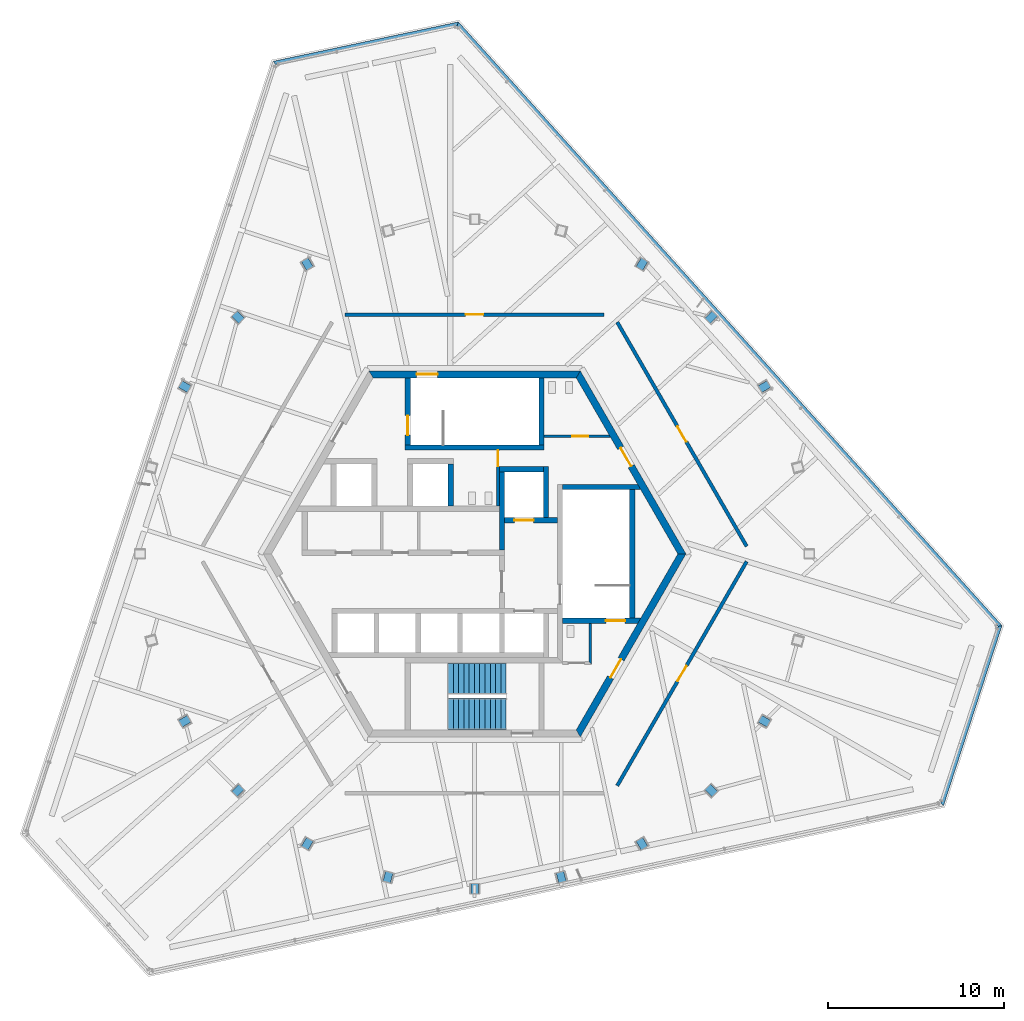
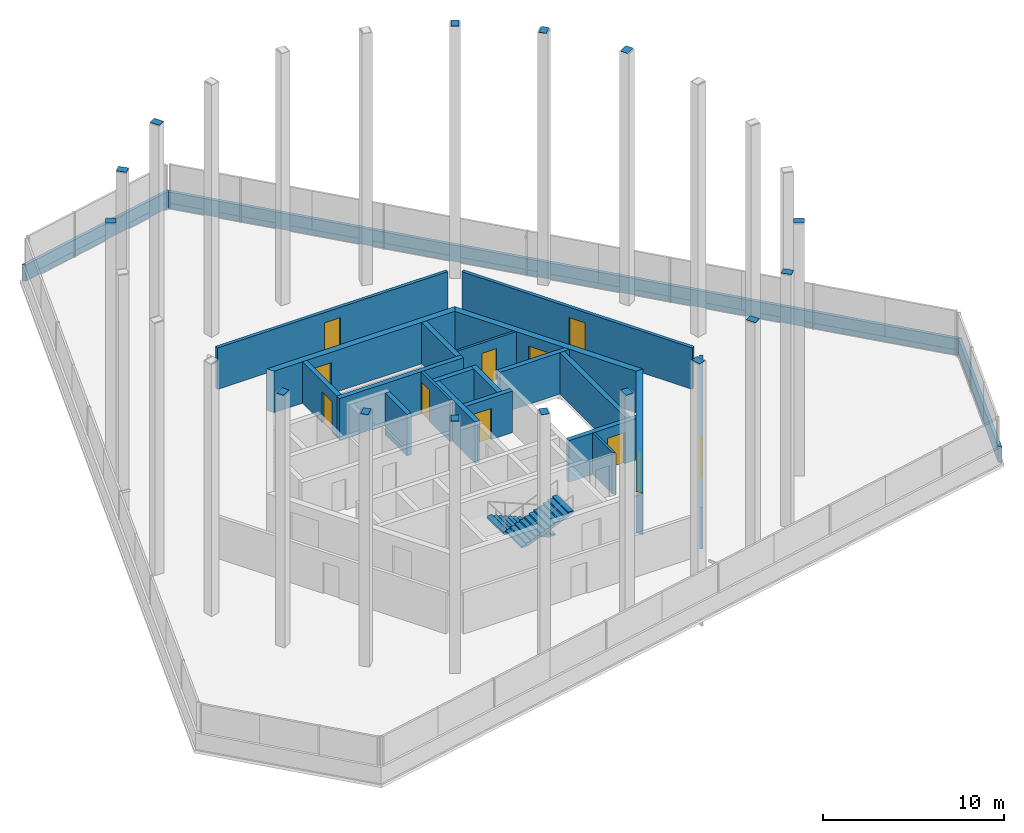
# One storey, part 8 of 11: 23 walls, 15 discrete accessories, 11 doors, 2 stair flights, 11 openings, 1 element without a shape of its own.
"""IFC4 building model written with IfcOpenShell, lengths in metres."""

from ifc_helpers import new_model, si_unit, direction, frame, frame_2d, origin, origin_2d, place, context, subcontext, project, spatial, polyline, rectangle, outline, extrude, source, transform, mapped, material, layer, layer_set, type_object, element, fill, aggregate, save


model = new_model("IFC4")

# Units and contexts
model_context = context("Model", 3, precision=1e-05, world=origin(), true_north=direction((0.0, 1.0)))
body_context = subcontext(model_context, "Body", "Model", "MODEL_VIEW")
ifc_project = project(units=[si_unit("LENGTHUNIT", "METRE"), si_unit("AREAUNIT", "SQUARE_METRE"), si_unit("VOLUMEUNIT", "CUBIC_METRE"), si_unit("PLANEANGLEUNIT", "RADIAN"), si_unit("MASSUNIT", "GRAM", prefix="KILO")], contexts=[model_context])

# Site, building, storey
site_placement = place(None, origin())
site = spatial("IfcSite", under=ifc_project, at=site_placement, CompositionType="ELEMENT")
building_placement = place(site_placement, origin())
building = spatial("IfcBuilding", under=site, at=building_placement, Name="Triune Harvest Tower", CompositionType="ELEMENT")
storey_placement = place(building_placement, frame((0.0, 0.0, 296.699951171875)))
storey = spatial("IfcBuildingStorey", under=building, at=storey_placement, Name="L78", CompositionType="ELEMENT", Elevation=296.699951171875)

# Wall, opening, door
ifc_material_1 = material(Name="Concrete masonry unit", Category="masonry")
ifc_layer_1 = layer(ifc_material_1, 0.14990234375)
ifc_layer_set_1 = layer_set([ifc_layer_1], Name="Concrete masonry unit")
wall_type_1 = type_object("IfcWallType", Name="Block partition 150 unrated", PredefinedType="PARTITIONING", material=ifc_layer_set_1)
wall_1_placement = place(storey_placement, frame((1.324951171875, 2.7099609375, 0.0), z_axis=(0.0, 0.0, 1.0), x_axis=(0.0, 1.0, 0.0)))
wall_1 = element("IfcWall", 1, at=wall_1_placement, inside=storey, type_object=wall_type_1, Name="Wc men east wall", PredefinedType="PARTITIONING", context=body_context, shape_type="SweptSolid", body=[
    extrude(rectangle(XDim=3.179931640625, YDim=0.14990234375, at=frame_2d((1.58984375, 0.0))), origin(), (0.0, 0.0, 1.0), 2.800048828125),
])
opening_1_placement = place(wall_1_placement, frame((2.264892578125, 0.0, 0.0)))
opening_1 = element("IfcOpeningElement", 2, at=opening_1_placement, cuts=wall_1, Name="Opening CD-WM", PredefinedType="OPENING", context=body_context, shape_type="SweptSolid", body=[
    extrude(rectangle(XDim=0.89990234375, YDim=2.10009765625, at=frame_2d((0.449951171875, 1.050048828125))), frame((0.0, 0.0849609375, 0.0), z_axis=(0.0, -1.0, 0.0), x_axis=(1.0, 0.0, 0.0)), (0.0, 0.0, 1.0), 0.169921875),
])
ifc_material_2 = material(Name="Timber C24", Category="wood")
door_type_1 = type_object("IfcDoorType", Name="WC door 900", OperationType="SINGLE_SWING_LEFT", PredefinedType="DOOR", material=ifc_material_2)
door_1_placement = place(opening_1_placement, origin())
door_1 = element("IfcDoor", 3, at=door_1_placement, inside=storey, type_object=door_type_1, Name="Door CD-WM", OperationType="SINGLE_SWING_LEFT", OverallHeight=2.10009765625, OverallWidth=0.89990234375, PredefinedType="DOOR", context=body_context, shape_type="SweptSolid", body=[
    extrude(rectangle(XDim=0.89990234375, YDim=2.10009765625, at=frame_2d((0.449951171875, 1.050048828125))), frame((0.0, 0.02490234375, 0.0), z_axis=(0.0, -1.0, 0.0), x_axis=(1.0, 0.0, 0.0)), (0.0, 0.0, 1.0), 0.050048828125),
])
fill(opening_1, door_1)

wall_2_placement = place(storey_placement, frame((3.949951171875, 6.675048828125, 0.0), z_axis=(0.0, 0.0, 1.0), x_axis=(1.0, 0.0, 0.0)))
wall_2 = element("IfcWall", 4, at=wall_2_placement, inside=storey, type_object=wall_type_1, Name="Wc women south wall", PredefinedType="PARTITIONING", context=body_context, shape_type="SweptSolid", body=[
    extrude(outline(polyline([(0.0, -0.074951171875), (0.0, 0.074951171875), (3.693359375, 0.074951171875), (3.77978515625, -0.074951171875), (0.0, -0.074951171875)])), origin(), (0.0, 0.0, 1.0), 2.800048828125),
])
opening_2_placement = place(wall_2_placement, frame((1.60009765625, 0.0, 0.0)))
opening_2 = element("IfcOpeningElement", 5, at=opening_2_placement, cuts=wall_2, Name="Opening CD-WW", PredefinedType="OPENING", context=body_context, shape_type="SweptSolid", body=[
    extrude(rectangle(XDim=0.89990234375, YDim=2.10009765625, at=frame_2d((0.449951171875, 1.050048828125))), frame((0.0, 0.0849609375, 0.0), z_axis=(0.0, -1.0, 0.0), x_axis=(1.0, 0.0, 0.0)), (0.0, 0.0, 1.0), 0.169921875),
])
door_2_placement = place(opening_2_placement, origin())
door_2 = element("IfcDoor", 6, at=door_2_placement, inside=storey, type_object=door_type_1, Name="Door CD-WW", OperationType="SINGLE_SWING_LEFT", OverallHeight=2.10009765625, OverallWidth=0.89990234375, PredefinedType="DOOR", context=body_context, shape_type="SweptSolid", body=[
    extrude(rectangle(XDim=0.89990234375, YDim=2.10009765625, at=frame_2d((0.449951171875, 1.050048828125))), frame((0.0, 0.02490234375, 0.0), z_axis=(0.0, -1.0, 0.0), x_axis=(1.0, 0.0, 0.0)), (0.0, 0.0, 1.0), 0.050048828125),
])
fill(opening_2, door_2)

# Walls
wall_3_placement = place(storey_placement, frame((6.574951171875, -6.18994140625, 0.0), z_axis=(0.0, 0.0, 1.0), x_axis=(0.0, 1.0, 0.0)))
element("IfcWall", 7, at=wall_3_placement, inside=storey, type_object=wall_type_1, Name="Wc acc east wall", PredefinedType="PARTITIONING", context=body_context, shape_type="SweptSolid", body=[
    extrude(outline(polyline([(-0.074951171875, -0.074951171875), (2.239990234375, -0.074951171875), (2.239990234375, 0.074951171875), (0.074951171875, 0.074951171875), (-0.074951171875, -0.074951171875)])), origin(), (0.0, 0.0, 1.0), 2.800048828125),
])
ifc_material_3 = material(Name="Concrete 70 MPa", Category="concrete")
ifc_layer_2 = layer(ifc_material_3, 0.300048828125)
ifc_layer_set_2 = layer_set([ifc_layer_2], Name="Concrete 70 MPa")
wall_type_2 = type_object("IfcWallType", Name="Core wall 300", PredefinedType="SHEAR", material=ifc_layer_set_2)
wall_4_placement = place(storey_placement, frame((1.550048828125, 0.2099609375, 0.0), z_axis=(0.0, 0.0, 1.0), x_axis=(0.0, 1.0, 0.0)))
element("IfcWall", 8, at=wall_4_placement, inside=storey, type_object=wall_type_2, Name="Ff1 west wall", PredefinedType="SHEAR", context=body_context, shape_type="SweptSolid", body=[
    extrude(rectangle(XDim=4.449951171875, YDim=0.300048828125, at=frame_2d((2.22509765625, 0.0))), origin(), (0.0, 0.0, 1.0), 2.800048828125),
])
wall_5_placement = place(storey_placement, frame((4.050048828125, 2.06005859375, 0.0), z_axis=(0.0, 0.0, 1.0), x_axis=(0.0, 1.0, 0.0)))
element("IfcWall", 9, at=wall_5_placement, inside=storey, type_object=wall_type_2, Name="Ff1 east wall", PredefinedType="SHEAR", context=body_context, shape_type="SweptSolid", body=[
    extrude(rectangle(XDim=2.89990234375, YDim=0.300048828125, at=frame_2d((1.449951171875, 0.0))), origin(), (0.0, 0.0, 1.0), 2.800048828125),
])
wall_6_placement = place(storey_placement, frame((5.0, 3.800048828125, 0.0), z_axis=(0.0, 0.0, 1.0), x_axis=(1.0, 0.0, 0.0)))
element("IfcWall", 10, at=wall_6_placement, inside=storey, type_object=wall_type_2, Name="Stair e north wall", PredefinedType="SHEAR", context=body_context, shape_type="SweptSolid", body=[
    extrude(outline(polyline([(0.0, -0.14990234375), (0.0, 0.14990234375), (4.260009765625, 0.14990234375), (4.43310546875, -0.14990234375), (0.0, -0.14990234375)])), origin(), (0.0, 0.0, 1.0), 2.800048828125),
])

# Wall, opening, door
wall_7_placement = place(storey_placement, frame((5.0, -3.800048828125, 0.0), z_axis=(0.0, 0.0, 1.0), x_axis=(1.0, 0.0, 0.0)))
wall_7 = element("IfcWall", 11, at=wall_7_placement, inside=storey, type_object=wall_type_2, Name="Stair e south wall", PredefinedType="SHEAR", context=body_context, shape_type="SweptSolid", body=[
    extrude(outline(polyline([(0.0, -0.14990234375), (0.0, 0.14990234375), (4.43310546875, 0.14990234375), (4.260009765625, -0.14990234375), (0.0, -0.14990234375)])), origin(), (0.0, 0.0, 1.0), 2.800048828125),
])
opening_3_placement = place(wall_7_placement, frame((2.449951171875, 0.0, 0.0)))
opening_3 = element("IfcOpeningElement", 12, at=opening_3_placement, cuts=wall_7, Name="Opening CD-S3D", PredefinedType="OPENING", context=body_context, shape_type="SweptSolid", body=[
    extrude(rectangle(XDim=1.10009765625, YDim=2.10009765625, at=frame_2d((0.550048828125, 1.050048828125))), frame((0.0, 0.16015625, 0.0), z_axis=(0.0, -1.0, 0.0), x_axis=(1.0, 0.0, 0.0)), (0.0, 0.0, 1.0), 0.320068359375),
])
ifc_material_4 = material(Name="Steel S235", Category="steel")
door_type_2 = type_object("IfcDoorType", Name="Stair door 1100 FD120", OperationType="SINGLE_SWING_LEFT", PredefinedType="DOOR", material=ifc_material_4)
door_3_placement = place(opening_3_placement, frame((1.10009765625, 0.0, 0.0), z_axis=(0.0, 0.0, 1.0), x_axis=(-1.0, 0.0, 0.0)))
door_3 = element("IfcDoor", 13, at=door_3_placement, inside=storey, type_object=door_type_2, Name="Door CD-S3D", OperationType="SINGLE_SWING_RIGHT", OverallHeight=2.10009765625, OverallWidth=1.10009765625, PredefinedType="DOOR", context=body_context, shape_type="SweptSolid", body=[
    extrude(rectangle(XDim=1.10009765625, YDim=2.10009765625, at=frame_2d((0.550048828125, 1.050048828125))), frame((0.0, 0.02490234375, 0.0), z_axis=(0.0, -1.0, 0.0), x_axis=(1.0, 0.0, 0.0)), (0.0, 0.0, 1.0), 0.050048828125),
])
fill(opening_3, door_3)

# Walls
wall_8_placement = place(storey_placement, frame((8.949951171875, -3.64990234375, 0.0), z_axis=(0.0, 0.0, 1.0), x_axis=(0.0, 1.0, 0.0)))
element("IfcWall", 14, at=wall_8_placement, inside=storey, type_object=wall_type_2, Name="Stair e east wall", PredefinedType="SHEAR", context=body_context, shape_type="SweptSolid", body=[
    extrude(rectangle(XDim=7.2998046875, YDim=0.300048828125, at=frame_2d((3.64990234375, 0.0))), origin(), (0.0, 0.0, 1.0), 2.800048828125),
])
wall_9_placement = place(storey_placement, frame((-3.949951171875, 6.0400390625, 0.0), z_axis=(0.0, 0.0, 1.0), x_axis=(1.0, 0.0, 0.0)))
element("IfcWall", 15, at=wall_9_placement, inside=storey, type_object=wall_type_2, Name="Stair n south wall", PredefinedType="SHEAR", context=body_context, shape_type="SweptSolid", body=[
    extrude(rectangle(XDim=7.89990234375, YDim=0.300048828125, at=frame_2d((3.949951171875, 0.0))), origin(), (0.0, 0.0, 1.0), 2.800048828125),
])
ifc_material_5 = material(Name="Concrete 40 MPa", Category="concrete")
ifc_layer_3 = layer(ifc_material_5, 0.199951171875)
ifc_layer_set_3 = layer_set([ifc_layer_3], Name="Concrete 40 MPa")
wall_type_3 = type_object("IfcWallType", Name="PA-1 parapet 200", PredefinedType="PARAPET", material=ifc_layer_set_3)
wall_10_placement = place(storey_placement, origin())
element("IfcWall", 16, at=wall_10_placement, inside=storey, type_object=wall_type_3, Name="Parapet outer 1", PredefinedType="PARAPET", context=body_context, shape_type="SweptSolid", body=[
    extrude(outline(polyline([(29.9453125, -4.070556640625), (-0.918212890625, 30.206787109375), (-0.989501953125, 29.987060546875), (29.719482421875, -4.118408203125), (29.9453125, -4.070556640625)])), origin(), (0.0, 0.0, 1.0), 1.10009765625),
])
wall_11_placement = place(storey_placement, origin())
element("IfcWall", 17, at=wall_11_placement, inside=storey, type_object=wall_type_3, Name="Parapet outer 2", PredefinedType="PARAPET", context=body_context, shape_type="SweptSolid", body=[
    extrude(outline(polyline([(-0.918212890625, 30.206787109375), (-11.447509765625, 27.968505859375), (-11.29296875, 27.797119140625), (-0.989501953125, 29.987060546875), (-0.918212890625, 30.206787109375)])), origin(), (0.0, 0.0, 1.0), 1.10009765625),
])
wall_12_placement = place(storey_placement, origin())
element("IfcWall", 18, at=wall_12_placement, inside=storey, type_object=wall_type_3, Name="Parapet outer 6", PredefinedType="PARAPET", context=body_context, shape_type="SweptSolid", body=[
    extrude(outline(polyline([(26.618896484375, -14.30810546875), (29.9453125, -4.070556640625), (29.719482421875, -4.118408203125), (26.46435546875, -14.13671875), (26.618896484375, -14.30810546875)])), origin(), (0.0, 0.0, 1.0), 1.10009765625),
])

# Wall, opening, door
ifc_material_6 = material(Name="Concrete 70 MPa", Category="concrete")
ifc_layer_4 = layer(ifc_material_6, 0.39990234375)
ifc_layer_set_4 = layer_set([ifc_layer_4], Name="Concrete 70 MPa")
wall_type_4 = type_object("IfcWallType", Name="Core wall 400", PredefinedType="SHEAR", material=ifc_layer_set_4)
shared_shape_1 = source(origin(), body_context, "Body", "SweptSolid", [
    extrude(outline(polyline([(-0.115478515625, -0.199951171875), (11.884521484375, -0.199951171875), (11.653564453125, 0.199951171875), (0.115478515625, 0.199951171875), (-0.115478515625, -0.199951171875)])), origin(), (0.0, 0.0, 1.0), 2.800048828125),
])
wall_13_placement = place(storey_placement, frame((11.76904296875, 0.0, 0.0), z_axis=(0.0, 0.0, 1.0), x_axis=(-0.499996592174, 0.866027371285, 0.0)))
wall_13 = element("IfcWall", 19, at=wall_13_placement, inside=storey, type_object=wall_type_4, Name="Hexagon 0 wall", PredefinedType="SHEAR", context=body_context, shape_type="MappedRepresentation", body=[
    mapped(shared_shape_1, transform((0.0, 0.0, 0.0), scale=1.0)),
])
opening_4_placement = place(wall_13_placement, frame((5.75048828125, 0.0, 0.0)))
opening_4 = element("IfcOpeningElement", 20, at=opening_4_placement, cuts=wall_13, Name="Opening CD-WCP", PredefinedType="OPENING", context=body_context, shape_type="SweptSolid", body=[
    extrude(rectangle(XDim=1.199951171875, YDim=2.10009765625, at=frame_2d((0.60009765625, 1.050048828125))), frame((0.0, 0.2099609375, 0.0), z_axis=(0.0, -1.0, 0.0), x_axis=(1.0, 0.0, 0.0)), (0.0, 0.0, 1.0), 0.419921875),
])
ifc_material_7 = material(Name="Steel S235", Category="steel")
door_type_3 = type_object("IfcDoorType", Name="Lobby door 1200 FD120", OperationType="SINGLE_SWING_LEFT", PredefinedType="DOOR", material=ifc_material_7)
door_4_placement = place(opening_4_placement, frame((1.199951171875, 0.0, 0.0), z_axis=(0.0, 0.0, 1.0), x_axis=(-1.0, 0.0, 0.0)))
door_4 = element("IfcDoor", 21, at=door_4_placement, inside=storey, type_object=door_type_3, Name="Door CD-WCP", OperationType="SINGLE_SWING_RIGHT", OverallHeight=2.10009765625, OverallWidth=1.199951171875, PredefinedType="DOOR", context=body_context, shape_type="SweptSolid", body=[
    extrude(rectangle(XDim=1.199951171875, YDim=2.10009765625, at=frame_2d((0.60009765625, 1.050048828125))), frame((0.0, 0.02490234375, 0.0), z_axis=(0.0, -1.0, 0.0), x_axis=(1.0, 0.0, 0.0)), (0.0, 0.0, 1.0), 0.050048828125),
])
fill(opening_4, door_4)

wall_14_placement = place(storey_placement, frame((5.884521484375, 10.1923828125, 0.0), z_axis=(0.0, 0.0, 1.0), x_axis=(-1.0, 0.0, 0.0)))
wall_14 = element("IfcWall", 22, at=wall_14_placement, inside=storey, type_object=wall_type_4, Name="Hexagon 1 wall", PredefinedType="SHEAR", context=body_context, shape_type="MappedRepresentation", body=[
    mapped(shared_shape_1, transform((0.0, 0.0, 0.0), scale=1.0)),
])
opening_5_placement = place(wall_14_placement, frame((7.984619140625, 0.0, 0.0)))
opening_5 = element("IfcOpeningElement", 23, at=opening_5_placement, cuts=wall_14, Name="Opening CD-S1P", PredefinedType="OPENING", context=body_context, shape_type="SweptSolid", body=[
    extrude(rectangle(XDim=1.199951171875, YDim=2.10009765625, at=frame_2d((0.60009765625, 1.050048828125))), frame((0.0, 0.2099609375, 0.0), z_axis=(0.0, -1.0, 0.0), x_axis=(1.0, 0.0, 0.0)), (0.0, 0.0, 1.0), 0.419921875),
])
ifc_material_8 = material(Name="Steel S235", Category="steel")
door_type_4 = type_object("IfcDoorType", Name="Stair door 1200 FD120", OperationType="SINGLE_SWING_LEFT", PredefinedType="DOOR", material=ifc_material_8)
door_5_placement = place(opening_5_placement, frame((1.199951171875, 0.0, 0.0), z_axis=(0.0, 0.0, 1.0), x_axis=(-1.0, 0.0, 0.0)))
door_5 = element("IfcDoor", 24, at=door_5_placement, inside=storey, type_object=door_type_4, Name="Door CD-S1P", OperationType="SINGLE_SWING_RIGHT", OverallHeight=2.10009765625, OverallWidth=1.199951171875, PredefinedType="DOOR", context=body_context, shape_type="SweptSolid", body=[
    extrude(rectangle(XDim=1.199951171875, YDim=2.10009765625, at=frame_2d((0.60009765625, 1.050048828125))), frame((0.0, 0.02490234375, 0.0), z_axis=(0.0, -1.0, 0.0), x_axis=(1.0, 0.0, 0.0)), (0.0, 0.0, 1.0), 0.050048828125),
])
fill(opening_5, door_5)

wall_15_placement = place(storey_placement, frame((5.884521484375, -10.1923828125, 0.0), z_axis=(0.0, 0.0, 1.0), x_axis=(0.499996592174, 0.866027371285, 0.0)))
wall_15 = element("IfcWall", 25, at=wall_15_placement, inside=storey, type_object=wall_type_4, Name="Hexagon 5 wall", PredefinedType="SHEAR", context=body_context, shape_type="MappedRepresentation", body=[
    mapped(shared_shape_1, transform((0.0, 0.0, 0.0), scale=1.0)),
])
opening_6_placement = place(wall_15_placement, frame((3.66455078125, 0.0, 0.0)))
opening_6 = element("IfcOpeningElement", 26, at=opening_6_placement, cuts=wall_15, Name="Opening CD-DP", PredefinedType="OPENING", context=body_context, shape_type="SweptSolid", body=[
    extrude(rectangle(XDim=1.199951171875, YDim=2.10009765625, at=frame_2d((0.60009765625, 1.050048828125))), frame((0.0, 0.2099609375, 0.0), z_axis=(0.0, -1.0, 0.0), x_axis=(1.0, 0.0, 0.0)), (0.0, 0.0, 1.0), 0.419921875),
])
door_6_placement = place(opening_6_placement, frame((1.199951171875, 0.0, 0.0), z_axis=(0.0, 0.0, 1.0), x_axis=(-1.0, 0.0, 0.0)))
door_6 = element("IfcDoor", 27, at=door_6_placement, inside=storey, type_object=door_type_4, Name="Door CD-DP", OperationType="SINGLE_SWING_RIGHT", OverallHeight=2.10009765625, OverallWidth=1.199951171875, PredefinedType="DOOR", context=body_context, shape_type="SweptSolid", body=[
    extrude(rectangle(XDim=1.199951171875, YDim=2.10009765625, at=frame_2d((0.60009765625, 1.050048828125))), frame((0.0, 0.02490234375, 0.0), z_axis=(0.0, -1.0, 0.0), x_axis=(1.0, 0.0, 0.0)), (0.0, 0.0, 1.0), 0.050048828125),
])
fill(opening_6, door_6)

# Wall
shared_shape_2 = source(origin(), body_context, "Body", "SweptSolid", [
    extrude(rectangle(XDim=2.5, YDim=0.300048828125, at=frame_2d((1.25, 0.0))), origin(), (0.0, 0.0, 1.0), 2.800048828125),
])
wall_16_placement = place(storey_placement, frame((1.39990234375, 4.81005859375, 0.0), z_axis=(0.0, 0.0, 1.0), x_axis=(1.0, 0.0, 0.0)))
element("IfcWall", 28, at=wall_16_placement, inside=storey, type_object=wall_type_2, Name="Ff1 back wall", PredefinedType="SHEAR", context=body_context, shape_type="MappedRepresentation", body=[
    mapped(shared_shape_2, transform((0.0, 0.0, 0.0), scale=1.0)),
])

# Wall, opening, door
shared_shape_3 = source(origin(), body_context, "Body", "SweptSolid", [
    extrude(rectangle(XDim=3.0, YDim=0.300048828125, at=frame_2d((1.5, 0.0))), origin(), (0.0, 0.0, 1.0), 2.800048828125),
])
wall_17_placement = place(storey_placement, frame((1.699951171875, 1.909912109375, 0.0), z_axis=(0.0, 0.0, 1.0), x_axis=(1.0, 0.0, 0.0)))
wall_17 = element("IfcWall", 29, at=wall_17_placement, inside=storey, type_object=wall_type_2, Name="Ff1 front wall", PredefinedType="SHEAR", context=body_context, shape_type="MappedRepresentation", body=[
    mapped(shared_shape_3, transform((0.0, 0.0, 0.0), scale=1.0)),
])
opening_7_placement = place(wall_17_placement, frame((0.550048828125, 0.0, 0.0)))
opening_7 = element("IfcOpeningElement", 30, at=opening_7_placement, cuts=wall_17, Name="Opening LD-FF1-78", PredefinedType="OPENING", context=body_context, shape_type="SweptSolid", body=[
    extrude(rectangle(XDim=1.10009765625, YDim=2.10009765625, at=frame_2d((0.550048828125, 1.050048828125))), frame((0.0, 0.16015625, 0.0), z_axis=(0.0, -1.0, 0.0), x_axis=(1.0, 0.0, 0.0)), (0.0, 0.0, 1.0), 0.320068359375),
])
ifc_material_9 = material(Name="Stainless steel AISI 304", Category="steel")
door_type_5 = type_object("IfcDoorType", Name="Landing door 1100 x 2100", OperationType="DOUBLE_DOOR_SLIDING", PredefinedType="DOOR", material=ifc_material_9)
door_7_placement = place(opening_7_placement, origin())
door_7 = element("IfcDoor", 31, at=door_7_placement, inside=storey, type_object=door_type_5, Name="Door LD-FF1-78", OperationType="DOUBLE_DOOR_SLIDING", OverallHeight=2.10009765625, OverallWidth=1.10009765625, PredefinedType="DOOR", context=body_context, shape_type="SweptSolid", body=[
    extrude(rectangle(XDim=1.10009765625, YDim=2.10009765625, at=frame_2d((0.550048828125, 1.050048828125))), frame((0.0, 0.02490234375, 0.0), z_axis=(0.0, -1.0, 0.0), x_axis=(1.0, 0.0, 0.0)), (0.0, 0.0, 1.0), 0.050048828125),
])
fill(opening_7, door_7)

shared_shape_4 = source(origin(), body_context, "Body", "SweptSolid", [
    extrude(outline(polyline([(0.0, -0.14990234375), (0.0, 0.14990234375), (3.80419921875, 0.14990234375), (3.80419921875, -0.14990234375), (0.0, -0.14990234375)])), origin(), (0.0, 0.0, 1.0), 2.800048828125),
])
wall_18_placement = place(storey_placement, frame((-3.800048828125, 6.18994140625, 0.0), z_axis=(0.0, 0.0, 1.0), x_axis=(0.0, 1.0, 0.0)))
wall_18 = element("IfcWall", 32, at=wall_18_placement, inside=storey, type_object=wall_type_2, Name="Stair n west wall", PredefinedType="SHEAR", context=body_context, shape_type="MappedRepresentation", body=[
    mapped(shared_shape_4, transform((0.0, 0.0, 0.0), scale=1.0)),
])
opening_8_placement = place(wall_18_placement, frame((0.56005859375, 0.0, 0.0)))
opening_8 = element("IfcOpeningElement", 33, at=opening_8_placement, cuts=wall_18, Name="Opening CD-S1L", PredefinedType="OPENING", context=body_context, shape_type="SweptSolid", body=[
    extrude(rectangle(XDim=1.10009765625, YDim=2.10009765625, at=frame_2d((0.550048828125, 1.050048828125))), frame((0.0, 0.16015625, 0.0), z_axis=(0.0, -1.0, 0.0), x_axis=(1.0, 0.0, 0.0)), (0.0, 0.0, 1.0), 0.320068359375),
])
door_8_placement = place(opening_8_placement, frame((1.10009765625, 0.0, 0.0), z_axis=(0.0, 0.0, 1.0), x_axis=(-1.0, 0.0, 0.0)))
door_8 = element("IfcDoor", 34, at=door_8_placement, inside=storey, type_object=door_type_2, Name="Door CD-S1L", OperationType="SINGLE_SWING_RIGHT", OverallHeight=2.10009765625, OverallWidth=1.10009765625, PredefinedType="DOOR", context=body_context, shape_type="SweptSolid", body=[
    extrude(rectangle(XDim=1.10009765625, YDim=2.10009765625, at=frame_2d((0.550048828125, 1.050048828125))), frame((0.0, 0.02490234375, 0.0), z_axis=(0.0, -1.0, 0.0), x_axis=(1.0, 0.0, 0.0)), (0.0, 0.0, 1.0), 0.050048828125),
])
fill(opening_8, door_8)

# Walls
wall_19_placement = place(storey_placement, frame((3.800048828125, 6.18994140625, 0.0), z_axis=(0.0, 0.0, 1.0), x_axis=(0.0, 1.0, 0.0)))
element("IfcWall", 35, at=wall_19_placement, inside=storey, type_object=wall_type_2, Name="Stair n east wall", PredefinedType="SHEAR", context=body_context, shape_type="MappedRepresentation", body=[
    mapped(shared_shape_4, transform((0.0, 0.0, 0.0), scale=1.0)),
])
shared_shape_5 = source(origin(), body_context, "Body", "SweptSolid", [
    extrude(rectangle(XDim=2.400146484375, YDim=0.300048828125, at=frame_2d((1.2001953125, 0.0))), origin(), (0.0, 0.0, 1.0), 2.800048828125),
])
wall_20_placement = place(storey_placement, frame((-1.35009765625, 2.7099609375, 0.0), z_axis=(0.0, 0.0, 1.0), x_axis=(0.0, 1.0, 0.0)))
element("IfcWall", 36, at=wall_20_placement, inside=storey, type_object=wall_type_2, Name="Sv2 east wall", PredefinedType="SHEAR", context=body_context, shape_type="MappedRepresentation", body=[
    mapped(shared_shape_5, transform((0.0, 0.0, 0.0), scale=1.0)),
])

# Wall, opening, door
ifc_material_10 = material(Name="Gypsum board on steel studs", Category="steel")
ifc_layer_5 = layer(ifc_material_10, 0.199951171875)
ifc_layer_set_5 = layer_set([ifc_layer_5], Name="Gypsum board on steel studs")
wall_type_5 = type_object("IfcWallType", Name="Fire Wall 200 mm", PredefinedType="PARTITIONING", material=ifc_layer_set_5)
shared_shape_6 = source(origin(), body_context, "Body", "SweptSolid", [
    extrude(rectangle(XDim=14.700439453125, YDim=0.199951171875, at=frame_2d((7.35009765625, 0.0))), origin(), (0.0, 0.0, 1.0), 2.800048828125),
])
wall_21_placement = place(storey_placement, frame((8.09619140625, 13.16162109375, 0.0), z_axis=(0.0, 0.0, 1.0), x_axis=(0.499993683172, -0.866029050776, 0.0)))
wall_21 = element("IfcWall", 37, at=wall_21_placement, inside=storey, type_object=wall_type_5, Name="Partition L78 002", PredefinedType="PARTITIONING", context=body_context, shape_type="MappedRepresentation", body=[
    mapped(shared_shape_6, transform((0.0, 0.0, 0.0), scale=1.0)),
])
opening_9_placement = place(wall_21_placement, frame((6.84228515625, 0.0, 0.0)))
opening_9 = element("IfcOpeningElement", 38, at=opening_9_placement, cuts=wall_21, Name="Opening L78-001", PredefinedType="OPENING", context=body_context, shape_type="SweptSolid", body=[
    extrude(rectangle(XDim=1.0, YDim=2.10009765625, at=frame_2d((0.5, 1.050048828125))), frame((0.0, 0.10986328125, 0.0), z_axis=(0.0, -1.0, 0.0), x_axis=(1.0, 0.0, 0.0)), (0.0, 0.0, 1.0), 0.219970703125),
])
ifc_material_11 = material(Name="Timber and steel door set", Category="steel")
door_type_6 = type_object("IfcDoorType", Name="Wide single leaf door FD60 left hand 1000 x 2100", OperationType="SINGLE_SWING_LEFT", PredefinedType="DOOR", material=ifc_material_11)
door_9_placement = place(opening_9_placement, origin())
door_9 = element("IfcDoor", 39, at=door_9_placement, inside=storey, type_object=door_type_6, Name="Door L78-001 Generator Room 78.01", OperationType="SINGLE_SWING_LEFT", OverallHeight=2.10009765625, OverallWidth=1.0, PredefinedType="DOOR", context=body_context, shape_type="SweptSolid", body=[
    extrude(rectangle(XDim=1.0, YDim=2.10009765625, at=frame_2d((0.5, 1.050048828125))), frame((0.0, 0.02490234375, 0.0), z_axis=(0.0, -1.0, 0.0), x_axis=(1.0, 0.0, 0.0)), (0.0, 0.0, 1.0), 0.050048828125),
])
fill(opening_9, door_9)

wall_22_placement = place(storey_placement, frame((8.09619140625, -13.16162109375, 0.0), z_axis=(0.0, 0.0, 1.0), x_axis=(0.499993683172, 0.866029050776, 0.0)))
wall_22 = element("IfcWall", 40, at=wall_22_placement, inside=storey, type_object=wall_type_5, Name="Partition L78 005", PredefinedType="PARTITIONING", context=body_context, shape_type="MappedRepresentation", body=[
    mapped(shared_shape_6, transform((0.0, 0.0, 0.0), scale=1.0)),
])
opening_10_placement = place(wall_22_placement, frame((6.85791015625, 0.0, 0.0)))
opening_10 = element("IfcOpeningElement", 41, at=opening_10_placement, cuts=wall_22, Name="Opening L78-006", PredefinedType="OPENING", context=body_context, shape_type="SweptSolid", body=[
    extrude(rectangle(XDim=1.0, YDim=2.10009765625, at=frame_2d((0.5, 1.050048828125))), frame((0.0, 0.10986328125, 0.0), z_axis=(0.0, -1.0, 0.0), x_axis=(1.0, 0.0, 0.0)), (0.0, 0.0, 1.0), 0.219970703125),
])
door_10_placement = place(opening_10_placement, origin())
door_10 = element("IfcDoor", 42, at=door_10_placement, inside=storey, type_object=door_type_6, Name="Door L78-006 Air Handling Room 78.06", OperationType="SINGLE_SWING_LEFT", OverallHeight=2.10009765625, OverallWidth=1.0, PredefinedType="DOOR", context=body_context, shape_type="SweptSolid", body=[
    extrude(rectangle(XDim=1.0, YDim=2.10009765625, at=frame_2d((0.5, 1.050048828125))), frame((0.0, 0.02490234375, 0.0), z_axis=(0.0, -1.0, 0.0), x_axis=(1.0, 0.0, 0.0)), (0.0, 0.0, 1.0), 0.050048828125),
])
fill(opening_10, door_10)

shared_shape_7 = source(origin(), body_context, "Body", "SweptSolid", [
    extrude(rectangle(XDim=14.7001953125, YDim=0.199951171875, at=frame_2d((7.35009765625, 0.0))), origin(), (0.0, 0.0, 1.0), 2.800048828125),
])
wall_23_placement = place(storey_placement, frame((-7.35009765625, 13.59228515625, 0.0), z_axis=(0.0, 0.0, 1.0), x_axis=(1.0, 0.0, 0.0)))
wall_23 = element("IfcWall", 43, at=wall_23_placement, inside=storey, type_object=wall_type_5, Name="Partition L78 004", PredefinedType="PARTITIONING", context=body_context, shape_type="MappedRepresentation", body=[
    mapped(shared_shape_7, transform((0.0, 0.0, 0.0), scale=1.0)),
])
opening_11_placement = place(wall_23_placement, frame((6.84228515625, 0.0, 0.0)))
opening_11 = element("IfcOpeningElement", 44, at=opening_11_placement, cuts=wall_23, Name="Opening L78-002", PredefinedType="OPENING", context=body_context, shape_type="SweptSolid", body=[
    extrude(rectangle(XDim=1.0, YDim=2.10009765625, at=frame_2d((0.5, 1.050048828125))), frame((0.0, 0.10986328125, 0.0), z_axis=(0.0, -1.0, 0.0), x_axis=(1.0, 0.0, 0.0)), (0.0, 0.0, 1.0), 0.219970703125),
])
door_11_placement = place(opening_11_placement, origin())
door_11 = element("IfcDoor", 45, at=door_11_placement, inside=storey, type_object=door_type_6, Name="Door L78-002 Cooling Tower Area 78.02", OperationType="SINGLE_SWING_LEFT", OverallHeight=2.10009765625, OverallWidth=1.0, PredefinedType="DOOR", context=body_context, shape_type="SweptSolid", body=[
    extrude(rectangle(XDim=1.0, YDim=2.10009765625, at=frame_2d((0.5, 1.050048828125))), frame((0.0, 0.02490234375, 0.0), z_axis=(0.0, -1.0, 0.0), x_axis=(1.0, 0.0, 0.0)), (0.0, 0.0, 1.0), 0.050048828125),
])
fill(opening_11, door_11)

# Stair, stair flights
ifc_material_12 = material(Name="Concrete 40 MPa", Category="concrete")
stair_type = type_object("IfcStairType", Name="Exit stair 1800 half turn", PredefinedType="HALF_TURN_STAIR", material=ifc_material_12)
stair_placement = place(storey_placement, origin())
stair = element("IfcStair", 46, at=stair_placement, inside=storey, type_object=stair_type, Name="Exit stair south", PredefinedType="HALF_TURN_STAIR")
ifc_material_13 = material(Name="Concrete 40 MPa", Category="concrete")
stair_flight_type = type_object("IfcStairFlightType", Name="Stair flight 1800", PredefinedType="STRAIGHT", material=ifc_material_13)
shared_shape_8 = source(origin(), body_context, "Body", "SweptSolid", [
    extrude(outline(polyline([(0.0, 0.0), (0.0, 0.125), (0.300048828125, 0.125), (0.300048828125, 0.25), (0.60009765625, 0.25), (0.60009765625, 0.375), (0.89990234375, 0.375), (0.89990234375, 0.5), (1.199951171875, 0.5), (1.199951171875, 0.625), (1.5, 0.625), (1.5, 0.75), (1.800048828125, 0.75), (1.800048828125, 0.875), (2.10009765625, 0.875), (2.10009765625, 1.0), (2.39990234375, 1.0), (2.39990234375, 1.125), (2.699951171875, 1.125), (2.699951171875, 1.25), (3.0, 1.25), (3.0, 1.375), (3.300048828125, 1.375), (3.300048828125, 1.5), (3.300048828125, 1.212646484375), (0.3896484375, 0.0), (0.0, 0.0)])), frame((0.0, 0.89990234375, 0.0), z_axis=(0.0, -1.0, 0.0), x_axis=(1.0, 0.0, 0.0)), (0.0, 0.0, 1.0), 1.800048828125),
])
stair_flight_1_placement = place(storey_placement, frame((1.7900390625, -7.090087890625, 0.0), z_axis=(0.0, 0.0, 1.0), x_axis=(-1.0, 0.0, 0.0)))
stair_flight_1 = element("IfcStairFlight", 47, at=stair_flight_1_placement, type_object=stair_flight_type, Name="ST-2 flight 1", NumberOfRisers=12, NumberOfTreads=11, PredefinedType="STRAIGHT", RiserHeight=0.125, TreadLength=0.3, context=body_context, shape_type="MappedRepresentation", body=[
    mapped(shared_shape_8, transform((0.0, 0.0, 0.0), scale=1.0)),
])
stair_flight_2_placement = place(storey_placement, frame((-1.510009765625, -9.090087890625, 1.5), z_axis=(0.0, 0.0, 1.0), x_axis=(1.0, 0.0, 0.0)))
stair_flight_2 = element("IfcStairFlight", 48, at=stair_flight_2_placement, type_object=stair_flight_type, Name="ST-2 flight 2", NumberOfRisers=12, NumberOfTreads=11, PredefinedType="STRAIGHT", RiserHeight=0.125, TreadLength=0.3, context=body_context, shape_type="MappedRepresentation", body=[
    mapped(shared_shape_8, transform((0.0, 0.0, 0.0), scale=1.0)),
])
aggregate(stair, [stair_flight_1, stair_flight_2])

# Discrete accessories
ifc_material_14 = material(Name="Steel ASTM A992 Gr 50", Category="steel")
shared_shape_9 = source(origin(), body_context, "Body", "SweptSolid", [
    extrude(rectangle(XDim=0.60009765625, YDim=0.435302734375, at=origin_2d()), origin(), (0.0, 0.0, 1.0), 0.02490234375),
])
for number, where, z_axis, x_axis, name in (
    (49, (16.45458984375, 9.5, 16.97509765625), (0.0, 0.0, 1.0), (0.866025403784, 0.5, 0.0), "CROWN FRAME post 3 cap plate"),
    (50, (13.43505859375, 13.43505859375, 16.97509765625), (0.0, 0.0, 1.0), (0.707106781187, 0.707106781187, 0.0), "CROWN FRAME post 4 cap plate"),
    (51, (9.5, 16.45458984375, 16.97509765625), (0.0, 0.0, 1.0), (0.5, 0.866025403784, 0.0), "CROWN FRAME post 5 cap plate"),
    (52, (-9.5, 16.45458984375, 16.97509765625), (0.0, 0.0, 1.0), (-0.5, 0.866025403784, 0.0), "CROWN FRAME post 9 cap plate"),
    (53, (-13.43505859375, 13.43505859375, 16.97509765625), (0.0, 0.0, 1.0), (-0.707106781187, 0.707106781187, 0.0), "CROWN FRAME post 10 cap plate"),
    (54, (-16.45458984375, 9.5, 16.97509765625), (0.0, 0.0, 1.0), (-0.866025403784, 0.5, 0.0), "CROWN FRAME post 11 cap plate"),
    (55, (-16.45458984375, -9.5, 16.97509765625), (0.0, 0.0, 1.0), (-0.866025403784, -0.5, 0.0), "CROWN FRAME post 15 cap plate"),
    (56, (-13.43505859375, -13.43505859375, 16.97509765625), (0.0, 0.0, 1.0), (-0.707106781187, -0.707106781187, 0.0), "CROWN FRAME post 16 cap plate"),
    (57, (-9.5, -16.45458984375, 16.97509765625), (0.0, 0.0, 1.0), (-0.5, -0.866025403784, 0.0), "CROWN FRAME post 17 cap plate"),
    (58, (-4.91748046875, -18.3525390625, 16.97509765625), (0.0, 0.0, 1.0), (-0.258819045103, -0.965925826289, 0.0), "CROWN FRAME post 18 cap plate"),
    (59, (0.0, -19.0, 16.97509765625), (0.0, 0.0, 1.0), (0.0, -1.0, 0.0), "CROWN FRAME post 19 cap plate"),
    (60, (4.91748046875, -18.3525390625, 16.97509765625), (0.0, 0.0, 1.0), (0.258819045103, -0.965925826289, 0.0), "CROWN FRAME post 20 cap plate"),
    (61, (9.5, -16.45458984375, 16.97509765625), (0.0, 0.0, 1.0), (0.5, -0.866025403784, 0.0), "CROWN FRAME post 21 cap plate"),
    (62, (13.43505859375, -13.43505859375, 16.97509765625), (0.0, 0.0, 1.0), (0.707106781187, -0.707106781187, 0.0), "CROWN FRAME post 22 cap plate"),
    (63, (16.45458984375, -9.5, 16.97509765625), (0.0, 0.0, 1.0), (0.866025403784, -0.5, 0.0), "CROWN FRAME post 23 cap plate"),
):
    element("IfcDiscreteAccessory", number, at=place(storey_placement, frame(where, z_axis=z_axis, x_axis=x_axis)), inside=storey, material=ifc_material_14, Name=name, ObjectType="BRACKET", PredefinedType="USERDEFINED", context=body_context, shape_type="MappedRepresentation", body=[
        mapped(shared_shape_9, transform((0.0, 0.0, 0.0), scale=1.0)),
    ])

save(model, "model.ifc")
